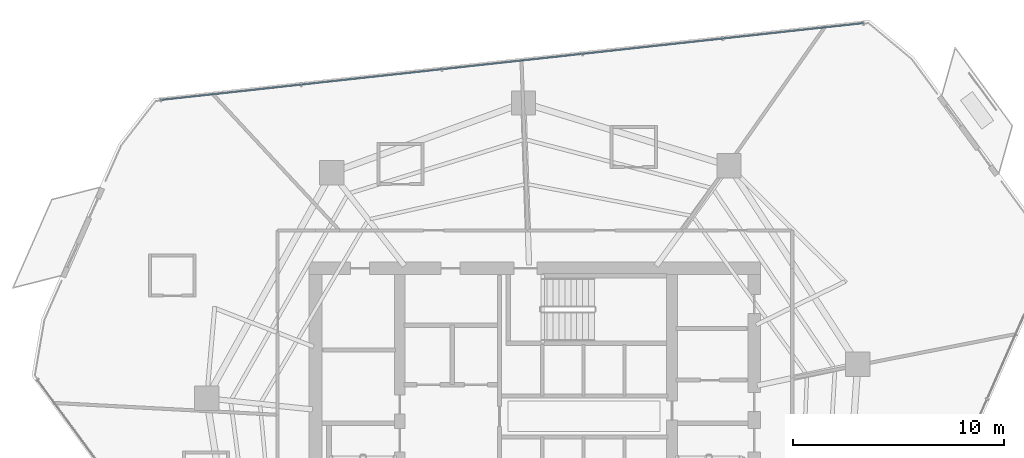
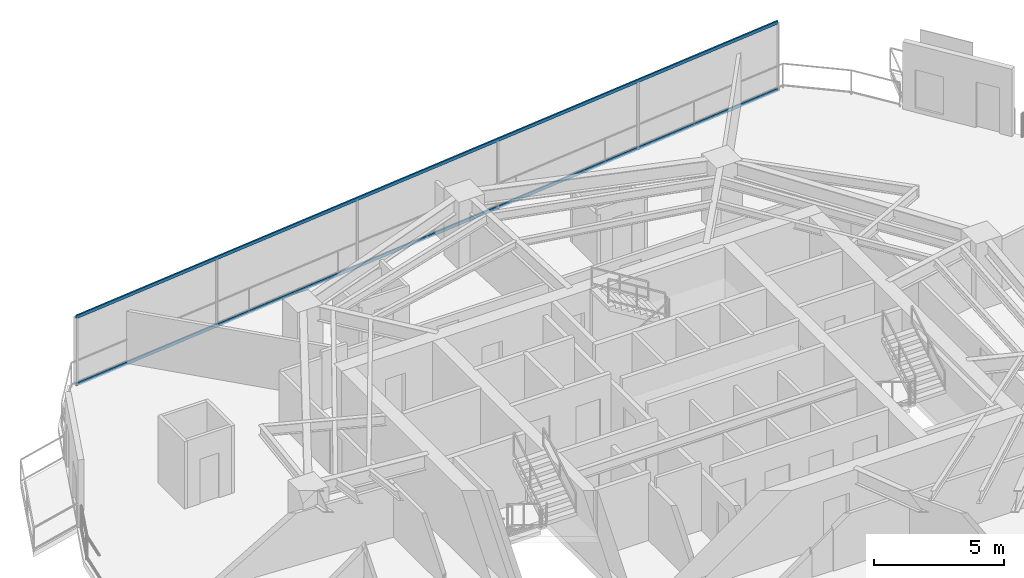
# One storey, part 19 of 30: 2 members, 1 element without a shape of its own.
"""IFC4 building model written with IfcOpenShell, lengths in metres."""

from ifc_helpers import new_model, si_unit, direction, frame, origin, origin_2d, place, context, subcontext, project, spatial, hollow_rectangle, extrude, material, layer, layer_set, material_profile, profile_set, type_object, element, aggregate, save


model = new_model("IFC4")

# Units and contexts
model_context = context("Model", 3, precision=1e-05, world=origin(), true_north=direction((0.0, 1.0)))
body_context = subcontext(model_context, "Body", "Model", "MODEL_VIEW")
ifc_project = project(units=[si_unit("LENGTHUNIT", "METRE"), si_unit("AREAUNIT", "SQUARE_METRE"), si_unit("VOLUMEUNIT", "CUBIC_METRE"), si_unit("PLANEANGLEUNIT", "RADIAN"), si_unit("MASSUNIT", "GRAM", prefix="KILO")], contexts=[model_context])

# Site, building, storey
site_placement = place(None, origin())
site = spatial("IfcSite", under=ifc_project, at=site_placement, CompositionType="ELEMENT")
building_placement = place(site_placement, origin())
building = spatial("IfcBuilding", under=site, at=building_placement, Name="Qarnah Convention Tower", CompositionType="ELEMENT")
storey_placement = place(building_placement, frame((0.0, 0.0, 90.14990234375)))
storey = spatial("IfcBuildingStorey", under=building, at=storey_placement, Name="L23", CompositionType="ELEMENT", Elevation=90.14990234375)

# Curtain wall, members
ifc_material_1 = material(Name="Tempered Low-E dark glass", Category="glass")
ifc_layer = layer(ifc_material_1, 0.169921875)
ifc_layer_set = layer_set([ifc_layer], Name="Tempered Low-E dark glass")
curtain_wall_type = type_object("IfcCurtainWallType", Name="CWS-02", PredefinedType="NOTDEFINED", material=ifc_layer_set)
curtain_wall_placement = place(storey_placement, origin())
curtain_wall = element("IfcCurtainWall", 1, at=curtain_wall_placement, inside=storey, type_object=curtain_wall_type, Name="L23 unitised curtain wall CW-L23-F1", PredefinedType="NOTDEFINED")
ifc_material_2 = material(Name="Black anodised aluminium", Category="aluminium")
ifc_material_profile = material_profile(ifc_material_2, hollow_rectangle(XDim=0.06494140625, YDim=0.14990234375, WallThickness=0.00390625, at=origin_2d()), Name="TRN-65X150")
ifc_profile_set = profile_set([ifc_material_profile], Name="Black anodised aluminium")
member_type = type_object("IfcMemberType", Name="TRN-T2", PredefinedType="USERDEFINED", material=ifc_profile_set)
member_1_placement = place(storey_placement, frame((19.455078125, 42.177978515625, 0.0), z_axis=(0.994075160251, 0.108694874634, 0.0), x_axis=(-0.108694874634, 0.994075160251, 0.0)))
member_1 = element("IfcMember", 2, at=member_1_placement, type_object=member_type, Name="CW-L23-F1 transom 1", ObjectType="TRANSOM", PredefinedType="USERDEFINED", context=body_context, shape_type="SweptSolid", body=[
    extrude(hollow_rectangle(XDim=0.06494140625, YDim=0.14990234375, WallThickness=0.00390625, at=origin_2d()), origin(), (0.0, 0.0, 1.0), 33.516357421875),
])
member_2_placement = place(storey_placement, frame((19.455078125, 42.177978515625, 3.170166015625), z_axis=(0.994075160251, 0.108694874634, 0.0), x_axis=(-0.108694874634, 0.994075160251, 0.0)))
member_2 = element("IfcMember", 3, at=member_2_placement, type_object=member_type, Name="CW-L23-F1 transom 2", ObjectType="TRANSOM", PredefinedType="USERDEFINED", context=body_context, shape_type="SweptSolid", body=[
    extrude(hollow_rectangle(XDim=0.06494140625, YDim=0.14990234375, WallThickness=0.00390625, at=origin_2d()), origin(), (0.0, 0.0, 1.0), 33.516357421875),
])
aggregate(curtain_wall, [member_1, member_2])

save(model, "model.ifc")
